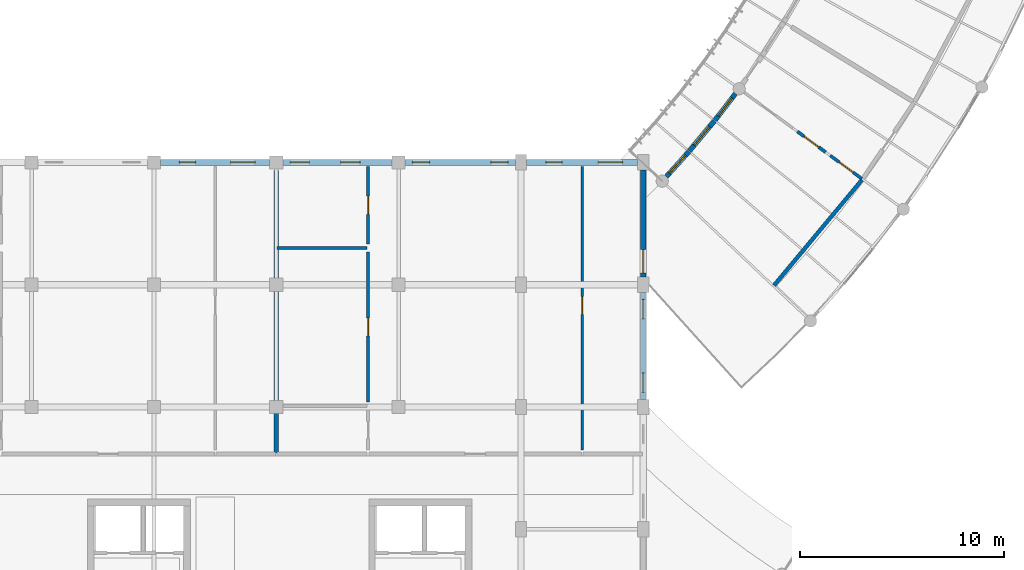
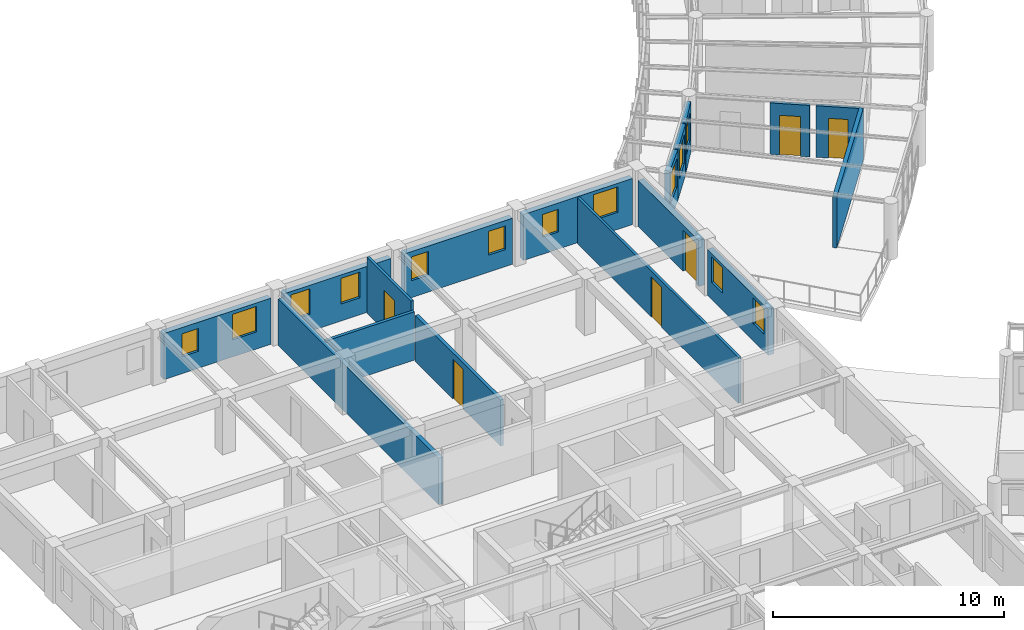
# One storey, part 59 of 100: 17 walls, 13 windows, 6 doors, 19 openings.
"""IFC4 building model written with IfcOpenShell, lengths in metres."""

from ifc_helpers import new_model, si_unit, direction, frame, frame_2d, origin, place, context, subcontext, project, spatial, rectangle, extrude, material, layer, layer_set, type_object, element, fill, save


model = new_model("IFC4")

# Units and contexts
model_context = context("Model", 3, precision=1e-05, world=origin(), true_north=direction((0.0, 1.0)))
body_context = subcontext(model_context, "Body", "Model", "MODEL_VIEW")
ifc_project = project(units=[si_unit("LENGTHUNIT", "METRE"), si_unit("AREAUNIT", "SQUARE_METRE"), si_unit("VOLUMEUNIT", "CUBIC_METRE"), si_unit("PLANEANGLEUNIT", "RADIAN"), si_unit("MASSUNIT", "GRAM", prefix="KILO"), si_unit("POWERUNIT", "WATT"), si_unit("THERMODYNAMICTEMPERATUREUNIT", "KELVIN")], contexts=[model_context])

# Site, building, storey
site_placement = place(None, origin())
site = spatial("IfcSite", under=ifc_project, at=site_placement, CompositionType="ELEMENT")
building_placement = place(site_placement, origin())
building = spatial("IfcBuilding", under=site, at=building_placement, Name="Ruvembo Vaulted Housing Court", CompositionType="ELEMENT")
storey_placement = place(building_placement, frame((0.0, 0.0, 14.10009765625)))
storey = spatial("IfcBuildingStorey", under=building, at=storey_placement, Name="L04", CompositionType="ELEMENT", Elevation=14.10009765625)

# Walls
ifc_material_1 = material(Name="Concrete Blockwork 190", Category="masonry")
ifc_layer_1 = layer(ifc_material_1, 0.18994140625, Name="Concrete Blockwork 190")
ifc_layer_set_1 = layer_set([ifc_layer_1], Name="Concrete Blockwork 190")
wall_type_1 = type_object("IfcWallType", Name="WL-CORR-190", PredefinedType="SOLIDWALL", material=ifc_layer_set_1)
wall_1_placement = place(storey_placement, frame((42.4140625, 35.964599609375, 0.0), z_axis=(0.0, 0.0, 1.0), x_axis=(0.639849364326, 0.768500351966, 0.0)))
element("IfcWall", 1, at=wall_1_placement, inside=storey, type_object=wall_type_1, Name="L04 Suite SC1-L04-U1 Gallery Wall WL-INT-L04-01287", PredefinedType="SOLIDWALL", context=body_context, shape_type="SweptSolid", body=[
    extrude(rectangle(XDim=6.73876953125, YDim=0.18994140625, at=frame_2d((3.369384765625, 0.0))), origin(), (0.0, 0.0, 1.0), 2.741943359375),
])
ifc_material_2 = material(Name="Acoustic Masonry Demising 220", Category="masonry")
ifc_layer_2 = layer(ifc_material_2, 0.219970703125, Name="Acoustic Masonry Demising 220")
ifc_layer_set_2 = layer_set([ifc_layer_2], Name="Acoustic Masonry Demising 220")
wall_type_2 = type_object("IfcWallType", Name="WL-DEM-200", PredefinedType="SOLIDWALL", material=ifc_layer_set_2)
wall_2_placement = place(storey_placement, frame((18.0, 27.739990234375, 0.0), z_axis=(0.0, 0.0, 1.0), x_axis=(0.0, 1.0, 0.0)))
element("IfcWall", 2, at=wall_2_placement, inside=storey, type_object=wall_type_2, Name="L04 Demising A-L04-N1 WL-INT-L04-01118", PredefinedType="SOLIDWALL", context=body_context, shape_type="SweptSolid", body=[
    extrude(rectangle(XDim=13.8701171875, YDim=0.219970703125, at=frame_2d((6.93505859375, 0.0))), origin(), (0.0, 0.0, 1.0), 2.4580078125),
])

# Wall, opening, window
ifc_material_3 = material(Name="Rendered Masonry 235", Category="masonry")
ifc_layer_3 = layer(ifc_material_3, 0.235107421875, Name="Rendered Masonry 235")
ifc_layer_set_3 = layer_set([ifc_layer_3], Name="Rendered Masonry 235")
wall_type_3 = type_object("IfcWallType", Name="WL-EXT-235", PredefinedType="STANDARD", material=ifc_layer_set_3)
wall_3_placement = place(storey_placement, frame((37.1318359375, 41.300537109375, 0.0), z_axis=(0.0, 0.0, 1.0), x_axis=(0.67078910291, 0.741648150687, 0.0)))
wall_3 = element("IfcWall", 3, at=wall_3_placement, inside=storey, type_object=wall_type_3, Name="Scoop SC1 L04 Concave Balcony Wall 0", PredefinedType="STANDARD", context=body_context, shape_type="SweptSolid", body=[
    extrude(rectangle(XDim=1.64697265625, YDim=0.235107421875, at=frame_2d((0.823486328125, 0.0))), origin(), (0.0, 0.0, 1.0), 2.683837890625),
])
opening_1_placement = place(wall_3_placement, frame((0.223388671875, 0.0, 0.85009765625)))
opening_1 = element("IfcOpeningElement", 4, at=opening_1_placement, cuts=wall_3, Name="Opening W14", PredefinedType="OPENING", context=body_context, shape_type="SweptSolid", body=[
    extrude(rectangle(XDim=1.199951171875, YDim=1.5, at=frame_2d((0.60009765625, 0.75))), frame((0.0, 0.12744140625, 0.0), z_axis=(0.0, -1.0, 0.0), x_axis=(1.0, 0.0, 0.0)), (0.0, 0.0, 1.0), 0.255126953125),
])
ifc_material_4 = material(Name="Double Solar-Control Glazing in Aluminium Frame", Category="aluminium")
window_type_1 = type_object("IfcWindowType", Name="WIN-1200x1500", PartitioningType="SINGLE_PANEL", PredefinedType="WINDOW", material=ifc_material_4)
window_1_placement = place(opening_1_placement, origin())
window_1 = element("IfcWindow", 5, at=window_1_placement, inside=storey, type_object=window_type_1, Name="Scoop SC1 L04 Concave Window 0", OverallHeight=1.5, OverallWidth=1.199951171875, PartitioningType="SINGLE_PANEL", PredefinedType="WINDOW", context=body_context, shape_type="SweptSolid", body=[
    extrude(rectangle(XDim=1.199951171875, YDim=1.5, at=frame_2d((0.60009765625, 0.75))), frame((0.0, 0.030029296875, 0.0), z_axis=(0.0, -1.0, 0.0), x_axis=(1.0, 0.0, 0.0)), (0.0, 0.0, 1.0), 0.06005859375),
])
fill(opening_1, window_1)

wall_4_placement = place(storey_placement, frame((38.2626953125, 42.552001953125, 0.0), z_axis=(0.0, 0.0, 1.0), x_axis=(0.639872771242, 0.768480862887, 0.0)))
wall_4 = element("IfcWall", 6, at=wall_4_placement, inside=storey, type_object=wall_type_3, Name="Scoop SC1 L04 Concave Balcony Wall 1", PredefinedType="STANDARD", context=body_context, shape_type="SweptSolid", body=[
    extrude(rectangle(XDim=1.9267578125, YDim=0.235107421875, at=frame_2d((0.96337890625, 0.0))), origin(), (0.0, 0.0, 1.0), 2.683837890625),
])
opening_2_placement = place(wall_4_placement, frame((0.36328125, 0.0, 0.85009765625)))
opening_2 = element("IfcOpeningElement", 7, at=opening_2_placement, cuts=wall_4, Name="Opening W14", PredefinedType="OPENING", context=body_context, shape_type="SweptSolid", body=[
    extrude(rectangle(XDim=1.199951171875, YDim=1.5, at=frame_2d((0.60009765625, 0.75))), frame((0.0, 0.12744140625, 0.0), z_axis=(0.0, -1.0, 0.0), x_axis=(1.0, 0.0, 0.0)), (0.0, 0.0, 1.0), 0.255126953125),
])
window_2_placement = place(opening_2_placement, origin())
window_2 = element("IfcWindow", 8, at=window_2_placement, inside=storey, type_object=window_type_1, Name="Scoop SC1 L04 Concave Window 1", OverallHeight=1.5, OverallWidth=1.199951171875, PartitioningType="SINGLE_PANEL", PredefinedType="WINDOW", context=body_context, shape_type="SweptSolid", body=[
    extrude(rectangle(XDim=1.199951171875, YDim=1.5, at=frame_2d((0.60009765625, 0.75))), frame((0.0, 0.030029296875, 0.0), z_axis=(0.0, -1.0, 0.0), x_axis=(1.0, 0.0, 0.0)), (0.0, 0.0, 1.0), 0.06005859375),
])
fill(opening_2, window_2)

wall_5_placement = place(storey_placement, frame((39.5205078125, 44.06396484375, 0.0), z_axis=(0.0, 0.0, 1.0), x_axis=(0.607846242362, 0.794054749779, 0.0)))
wall_5 = element("IfcWall", 9, at=wall_5_placement, inside=storey, type_object=wall_type_3, Name="Scoop SC1 L04 Concave Balcony Wall 2", PredefinedType="STANDARD", context=body_context, shape_type="SweptSolid", body=[
    extrude(rectangle(XDim=1.646728515625, YDim=0.235107421875, at=frame_2d((0.8232421875, 0.0))), origin(), (0.0, 0.0, 1.0), 2.683837890625),
])
opening_3_placement = place(wall_5_placement, frame((0.2734375, 0.0, 0.85009765625)))
opening_3 = element("IfcOpeningElement", 10, at=opening_3_placement, cuts=wall_5, Name="Opening W10", PredefinedType="OPENING", context=body_context, shape_type="SweptSolid", body=[
    extrude(rectangle(XDim=1.10009765625, YDim=1.449951171875, at=frame_2d((0.550048828125, 0.72509765625))), frame((0.0, 0.12744140625, 0.0), z_axis=(0.0, -1.0, 0.0), x_axis=(1.0, 0.0, 0.0)), (0.0, 0.0, 1.0), 0.255126953125),
])
window_type_2 = type_object("IfcWindowType", Name="WIN-1100x1450", PartitioningType="SINGLE_PANEL", PredefinedType="WINDOW", material=ifc_material_4)
window_3_placement = place(opening_3_placement, origin())
window_3 = element("IfcWindow", 11, at=window_3_placement, inside=storey, type_object=window_type_2, Name="Scoop SC1 L04 Concave Window 2", OverallHeight=1.449951171875, OverallWidth=1.10009765625, PartitioningType="SINGLE_PANEL", PredefinedType="WINDOW", context=body_context, shape_type="SweptSolid", body=[
    extrude(rectangle(XDim=1.10009765625, YDim=1.449951171875, at=frame_2d((0.550048828125, 0.72509765625))), frame((0.0, 0.030029296875, 0.0), z_axis=(0.0, -1.0, 0.0), x_axis=(1.0, 0.0, 0.0)), (0.0, 0.0, 1.0), 0.06005859375),
])
fill(opening_3, window_3)

# Wall, openings, windows
ifc_material_5 = material(Name="Rendered Masonry 285", Category="masonry")
ifc_layer_4 = layer(ifc_material_5, 0.284912109375, Name="Rendered Masonry 285")
ifc_layer_set_4 = layer_set([ifc_layer_4], Name="Rendered Masonry 285")
wall_type_4 = type_object("IfcWallType", Name="WL-EXT-285", PredefinedType="STANDARD", material=ifc_layer_set_4)
wall_6_placement = place(storey_placement, frame((36.0, 30.375, 0.0), z_axis=(0.0, 0.0, 1.0), x_axis=(0.0, 1.0, 0.0)))
wall_6 = element("IfcWall", 12, at=wall_6_placement, inside=storey, type_object=wall_type_4, Name="Block A L04 Exterior Wall EAST #5", PredefinedType="STANDARD", context=body_context, shape_type="SweptSolid", body=[
    extrude(rectangle(XDim=5.25, YDim=0.284912109375, at=frame_2d((2.625, 0.0))), origin(), (0.0, 0.0, 1.0), 2.431884765625),
])
opening_4_placement = place(wall_6_placement, frame((0.35009765625, 0.0, 0.89990234375)))
opening_4 = element("IfcOpeningElement", 13, at=opening_4_placement, cuts=wall_6, Name="Opening W07", PredefinedType="OPENING", context=body_context, shape_type="SweptSolid", body=[
    extrude(rectangle(XDim=0.949951171875, YDim=1.35009765625, at=frame_2d((0.47509765625, 0.675048828125))), frame((0.0, 0.15234375, 0.0), z_axis=(0.0, -1.0, 0.0), x_axis=(1.0, 0.0, 0.0)), (0.0, 0.0, 1.0), 0.304931640625),
])
opening_5_placement = place(wall_6_placement, frame((3.949951171875, 0.0, 0.89990234375)))
opening_5 = element("IfcOpeningElement", 14, at=opening_5_placement, cuts=wall_6, Name="Opening W07", PredefinedType="OPENING", context=body_context, shape_type="SweptSolid", body=[
    extrude(rectangle(XDim=0.949951171875, YDim=1.35009765625, at=frame_2d((0.47509765625, 0.675048828125))), frame((0.0, 0.15234375, 0.0), z_axis=(0.0, -1.0, 0.0), x_axis=(1.0, 0.0, 0.0)), (0.0, 0.0, 1.0), 0.304931640625),
])
window_type_3 = type_object("IfcWindowType", Name="WIN-0950x1350", PartitioningType="SINGLE_PANEL", PredefinedType="WINDOW", material=ifc_material_4)
window_4_placement = place(opening_4_placement, origin())
window_4 = element("IfcWindow", 15, at=window_4_placement, inside=storey, type_object=window_type_3, Name="Block A L04 Window #183", OverallHeight=1.35009765625, OverallWidth=0.949951171875, PartitioningType="SINGLE_PANEL", PredefinedType="WINDOW", context=body_context, shape_type="SweptSolid", body=[
    extrude(rectangle(XDim=0.949951171875, YDim=1.35009765625, at=frame_2d((0.47509765625, 0.675048828125))), frame((0.0, 0.030029296875, 0.0), z_axis=(0.0, -1.0, 0.0), x_axis=(1.0, 0.0, 0.0)), (0.0, 0.0, 1.0), 0.06005859375),
])
fill(opening_4, window_4)
window_5_placement = place(opening_5_placement, origin())
window_5 = element("IfcWindow", 16, at=window_5_placement, inside=storey, type_object=window_type_3, Name="Block A L04 Window #184", OverallHeight=1.35009765625, OverallWidth=0.949951171875, PartitioningType="SINGLE_PANEL", PredefinedType="WINDOW", context=body_context, shape_type="SweptSolid", body=[
    extrude(rectangle(XDim=0.949951171875, YDim=1.35009765625, at=frame_2d((0.47509765625, 0.675048828125))), frame((0.0, 0.030029296875, 0.0), z_axis=(0.0, -1.0, 0.0), x_axis=(1.0, 0.0, 0.0)), (0.0, 0.0, 1.0), 0.06005859375),
])
fill(opening_5, window_5)

# Wall, opening, door
wall_7_placement = place(storey_placement, frame((36.0, 36.375, 0.0), z_axis=(0.0, 0.0, 1.0), x_axis=(0.0, 1.0, 0.0)))
wall_7 = element("IfcWall", 17, at=wall_7_placement, inside=storey, type_object=wall_type_4, Name="Block A L04 Exterior Wall EAST #6", PredefinedType="STANDARD", context=body_context, shape_type="SweptSolid", body=[
    extrude(rectangle(XDim=5.25, YDim=0.284912109375, at=frame_2d((2.625, 0.0))), origin(), (0.0, 0.0, 1.0), 2.431884765625),
])
opening_6_placement = place(wall_7_placement, frame((0.199951171875, 0.0, 0.0)))
opening_6 = element("IfcOpeningElement", 18, at=opening_6_placement, cuts=wall_7, Name="Opening GD1", PredefinedType="OPENING", context=body_context, shape_type="SweptSolid", body=[
    extrude(rectangle(XDim=1.14990234375, YDim=2.14990234375, at=frame_2d((0.574951171875, 1.074951171875))), frame((0.0, 0.15234375, 0.0), z_axis=(0.0, -1.0, 0.0), x_axis=(1.0, 0.0, 0.0)), (0.0, 0.0, 1.0), 0.304931640625),
])
ifc_material_6 = material(Name="Thermally Broken Glazed Aluminium", Category="aluminium")
door_type_1 = type_object("IfcDoorType", Name="DR-GAL-1150x2150", OperationType="NOTDEFINED", PredefinedType="DOOR", material=ifc_material_6)
door_1_placement = place(opening_6_placement, frame((1.14990234375, 0.0, 0.0), z_axis=(0.0, 0.0, 1.0), x_axis=(-1.0, 0.0, 0.0)))
door_1 = element("IfcDoor", 19, at=door_1_placement, inside=storey, type_object=door_type_1, Name="Block A L04 Terrace or Gallery Door DR-TER-A-L04-018", OperationType="SINGLE_SWING_LEFT", OverallHeight=2.14990234375, OverallWidth=1.14990234375, PredefinedType="DOOR", context=body_context, shape_type="SweptSolid", body=[
    extrude(rectangle(XDim=1.14990234375, YDim=2.14990234375, at=frame_2d((0.574951171875, 1.074951171875))), frame((0.0, 0.02490234375, 0.0), z_axis=(0.0, -1.0, 0.0), x_axis=(1.0, 0.0, 0.0)), (0.0, 0.0, 1.0), 0.050048828125),
])
fill(opening_6, door_1)

# Wall, openings, windows
wall_8_placement = place(storey_placement, frame((35.72509765625, 42.0, 0.0), z_axis=(0.0, 0.0, 1.0), x_axis=(-1.0, 0.0, 0.0)))
wall_8 = element("IfcWall", 20, at=wall_8_placement, inside=storey, type_object=wall_type_4, Name="Block A L04 Exterior Wall COURTYARD #1", PredefinedType="STANDARD", context=body_context, shape_type="SweptSolid", body=[
    extrude(rectangle(XDim=5.4501953125, YDim=0.284912109375, at=frame_2d((2.72509765625, 0.0))), origin(), (0.0, 0.0, 1.0), 2.431884765625),
])
opening_7_placement = place(wall_8_placement, frame((0.742431640625, 0.0, 0.89990234375)))
opening_7 = element("IfcOpeningElement", 21, at=opening_7_placement, cuts=wall_8, Name="Opening W12", PredefinedType="OPENING", context=body_context, shape_type="SweptSolid", body=[
    extrude(rectangle(XDim=1.199951171875, YDim=1.35009765625, at=frame_2d((0.60009765625, 0.675048828125))), frame((0.0, 0.15234375, 0.0), z_axis=(0.0, -1.0, 0.0), x_axis=(1.0, 0.0, 0.0)), (0.0, 0.0, 1.0), 0.304931640625),
])
opening_8_placement = place(wall_8_placement, frame((3.70751953125, 0.0, 0.89990234375)))
opening_8 = element("IfcOpeningElement", 22, at=opening_8_placement, cuts=wall_8, Name="Opening W02", PredefinedType="OPENING", context=body_context, shape_type="SweptSolid", body=[
    extrude(rectangle(XDim=0.800048828125, YDim=1.199951171875, at=frame_2d((0.39990234375, 0.60009765625))), frame((0.0, 0.15234375, 0.0), z_axis=(0.0, -1.0, 0.0), x_axis=(1.0, 0.0, 0.0)), (0.0, 0.0, 1.0), 0.304931640625),
])
window_type_4 = type_object("IfcWindowType", Name="WIN-0800x1200", PartitioningType="SINGLE_PANEL", PredefinedType="WINDOW", material=ifc_material_4)
window_6_placement = place(opening_8_placement, origin())
window_6 = element("IfcWindow", 23, at=window_6_placement, inside=storey, type_object=window_type_4, Name="Block A L04 Window #186", OverallHeight=1.199951171875, OverallWidth=0.800048828125, PartitioningType="SINGLE_PANEL", PredefinedType="WINDOW", context=body_context, shape_type="SweptSolid", body=[
    extrude(rectangle(XDim=0.800048828125, YDim=1.199951171875, at=frame_2d((0.39990234375, 0.60009765625))), frame((0.0, 0.030029296875, 0.0), z_axis=(0.0, -1.0, 0.0), x_axis=(1.0, 0.0, 0.0)), (0.0, 0.0, 1.0), 0.06005859375),
])
fill(opening_8, window_6)
window_type_5 = type_object("IfcWindowType", Name="WIN-1200x1350", PartitioningType="SINGLE_PANEL", PredefinedType="WINDOW", material=ifc_material_4)
window_7_placement = place(opening_7_placement, origin())
window_7 = element("IfcWindow", 24, at=window_7_placement, inside=storey, type_object=window_type_5, Name="Block A L04 Window #185", OverallHeight=1.35009765625, OverallWidth=1.199951171875, PartitioningType="SINGLE_PANEL", PredefinedType="WINDOW", context=body_context, shape_type="SweptSolid", body=[
    extrude(rectangle(XDim=1.199951171875, YDim=1.35009765625, at=frame_2d((0.60009765625, 0.675048828125))), frame((0.0, 0.030029296875, 0.0), z_axis=(0.0, -1.0, 0.0), x_axis=(1.0, 0.0, 0.0)), (0.0, 0.0, 1.0), 0.06005859375),
])
fill(opening_7, window_7)

wall_9_placement = place(storey_placement, frame((29.72509765625, 42.0, 0.0), z_axis=(0.0, 0.0, 1.0), x_axis=(-1.0, 0.0, 0.0)))
wall_9 = element("IfcWall", 25, at=wall_9_placement, inside=storey, type_object=wall_type_4, Name="Block A L04 Exterior Wall COURTYARD #2", PredefinedType="STANDARD", context=body_context, shape_type="SweptSolid", body=[
    extrude(rectangle(XDim=5.400146484375, YDim=0.284912109375, at=frame_2d((2.7001953125, 0.0))), origin(), (0.0, 0.0, 1.0), 2.431884765625),
])
opening_9_placement = place(wall_9_placement, frame((0.35009765625, 0.0, 0.89990234375)))
opening_9 = element("IfcOpeningElement", 26, at=opening_9_placement, cuts=wall_9, Name="Opening W03", PredefinedType="OPENING", context=body_context, shape_type="SweptSolid", body=[
    extrude(rectangle(XDim=0.85009765625, YDim=1.25, at=frame_2d((0.425048828125, 0.625))), frame((0.0, 0.15234375, 0.0), z_axis=(0.0, -1.0, 0.0), x_axis=(1.0, 0.0, 0.0)), (0.0, 0.0, 1.0), 0.304931640625),
])
opening_10_placement = place(wall_9_placement, frame((4.199951171875, 0.0, 0.89990234375)))
opening_10 = element("IfcOpeningElement", 27, at=opening_10_placement, cuts=wall_9, Name="Opening W03", PredefinedType="OPENING", context=body_context, shape_type="SweptSolid", body=[
    extrude(rectangle(XDim=0.85009765625, YDim=1.25, at=frame_2d((0.425048828125, 0.625))), frame((0.0, 0.15234375, 0.0), z_axis=(0.0, -1.0, 0.0), x_axis=(1.0, 0.0, 0.0)), (0.0, 0.0, 1.0), 0.304931640625),
])
window_type_6 = type_object("IfcWindowType", Name="WIN-0850x1250", PartitioningType="SINGLE_PANEL", PredefinedType="WINDOW", material=ifc_material_4)
window_8_placement = place(opening_9_placement, origin())
window_8 = element("IfcWindow", 28, at=window_8_placement, inside=storey, type_object=window_type_6, Name="Block A L04 Window #187", OverallHeight=1.25, OverallWidth=0.85009765625, PartitioningType="SINGLE_PANEL", PredefinedType="WINDOW", context=body_context, shape_type="SweptSolid", body=[
    extrude(rectangle(XDim=0.85009765625, YDim=1.25, at=frame_2d((0.425048828125, 0.625))), frame((0.0, 0.030029296875, 0.0), z_axis=(0.0, -1.0, 0.0), x_axis=(1.0, 0.0, 0.0)), (0.0, 0.0, 1.0), 0.06005859375),
])
fill(opening_9, window_8)
window_9_placement = place(opening_10_placement, origin())
window_9 = element("IfcWindow", 29, at=window_9_placement, inside=storey, type_object=window_type_6, Name="Block A L04 Window #188", OverallHeight=1.25, OverallWidth=0.85009765625, PartitioningType="SINGLE_PANEL", PredefinedType="WINDOW", context=body_context, shape_type="SweptSolid", body=[
    extrude(rectangle(XDim=0.85009765625, YDim=1.25, at=frame_2d((0.425048828125, 0.625))), frame((0.0, 0.030029296875, 0.0), z_axis=(0.0, -1.0, 0.0), x_axis=(1.0, 0.0, 0.0)), (0.0, 0.0, 1.0), 0.06005859375),
])
fill(opening_10, window_9)

wall_10_placement = place(storey_placement, frame((23.675048828125, 42.0, 0.0), z_axis=(0.0, 0.0, 1.0), x_axis=(-1.0, 0.0, 0.0)))
wall_10 = element("IfcWall", 30, at=wall_10_placement, inside=storey, type_object=wall_type_4, Name="Block A L04 Exterior Wall COURTYARD #3", PredefinedType="STANDARD", context=body_context, shape_type="SweptSolid", body=[
    extrude(rectangle(XDim=5.35009765625, YDim=0.284912109375, at=frame_2d((2.675048828125, 0.0))), origin(), (0.0, 0.0, 1.0), 2.431884765625),
])
opening_11_placement = place(wall_10_placement, frame((1.56494140625, 0.0, 0.89990234375)))
opening_11 = element("IfcOpeningElement", 31, at=opening_11_placement, cuts=wall_10, Name="Opening W07", PredefinedType="OPENING", context=body_context, shape_type="SweptSolid", body=[
    extrude(rectangle(XDim=0.949951171875, YDim=1.35009765625, at=frame_2d((0.47509765625, 0.675048828125))), frame((0.0, 0.15234375, 0.0), z_axis=(0.0, -1.0, 0.0), x_axis=(1.0, 0.0, 0.0)), (0.0, 0.0, 1.0), 0.304931640625),
])
opening_12_placement = place(wall_10_placement, frame((4.050048828125, 0.0, 0.89990234375)))
opening_12 = element("IfcOpeningElement", 32, at=opening_12_placement, cuts=wall_10, Name="Opening W07", PredefinedType="OPENING", context=body_context, shape_type="SweptSolid", body=[
    extrude(rectangle(XDim=0.949951171875, YDim=1.35009765625, at=frame_2d((0.47509765625, 0.675048828125))), frame((0.0, 0.15234375, 0.0), z_axis=(0.0, -1.0, 0.0), x_axis=(1.0, 0.0, 0.0)), (0.0, 0.0, 1.0), 0.304931640625),
])
window_10_placement = place(opening_11_placement, origin())
window_10 = element("IfcWindow", 33, at=window_10_placement, inside=storey, type_object=window_type_3, Name="Block A L04 Window #189", OverallHeight=1.35009765625, OverallWidth=0.949951171875, PartitioningType="SINGLE_PANEL", PredefinedType="WINDOW", context=body_context, shape_type="SweptSolid", body=[
    extrude(rectangle(XDim=0.949951171875, YDim=1.35009765625, at=frame_2d((0.47509765625, 0.675048828125))), frame((0.0, 0.030029296875, 0.0), z_axis=(0.0, -1.0, 0.0), x_axis=(1.0, 0.0, 0.0)), (0.0, 0.0, 1.0), 0.06005859375),
])
fill(opening_11, window_10)
window_11_placement = place(opening_12_placement, origin())
window_11 = element("IfcWindow", 34, at=window_11_placement, inside=storey, type_object=window_type_3, Name="Block A L04 Window #190", OverallHeight=1.35009765625, OverallWidth=0.949951171875, PartitioningType="SINGLE_PANEL", PredefinedType="WINDOW", context=body_context, shape_type="SweptSolid", body=[
    extrude(rectangle(XDim=0.949951171875, YDim=1.35009765625, at=frame_2d((0.47509765625, 0.675048828125))), frame((0.0, 0.030029296875, 0.0), z_axis=(0.0, -1.0, 0.0), x_axis=(1.0, 0.0, 0.0)), (0.0, 0.0, 1.0), 0.06005859375),
])
fill(opening_12, window_11)

wall_11_placement = place(storey_placement, frame((17.675048828125, 42.0, 0.0), z_axis=(0.0, 0.0, 1.0), x_axis=(-1.0, 0.0, 0.0)))
wall_11 = element("IfcWall", 35, at=wall_11_placement, inside=storey, type_object=wall_type_4, Name="Block A L04 Exterior Wall COURTYARD #4", PredefinedType="STANDARD", context=body_context, shape_type="SweptSolid", body=[
    extrude(rectangle(XDim=5.35009765625, YDim=0.284912109375, at=frame_2d((2.675048828125, 0.0))), origin(), (0.0, 0.0, 1.0), 2.431884765625),
])
opening_13_placement = place(wall_11_placement, frame((0.717529296875, 0.0, 0.89990234375)))
opening_13 = element("IfcOpeningElement", 36, at=opening_13_placement, cuts=wall_11, Name="Opening W12", PredefinedType="OPENING", context=body_context, shape_type="SweptSolid", body=[
    extrude(rectangle(XDim=1.199951171875, YDim=1.35009765625, at=frame_2d((0.60009765625, 0.675048828125))), frame((0.0, 0.15234375, 0.0), z_axis=(0.0, -1.0, 0.0), x_axis=(1.0, 0.0, 0.0)), (0.0, 0.0, 1.0), 0.304931640625),
])
opening_14_placement = place(wall_11_placement, frame((3.632568359375, 0.0, 0.89990234375)))
opening_14 = element("IfcOpeningElement", 37, at=opening_14_placement, cuts=wall_11, Name="Opening W02", PredefinedType="OPENING", context=body_context, shape_type="SweptSolid", body=[
    extrude(rectangle(XDim=0.800048828125, YDim=1.199951171875, at=frame_2d((0.39990234375, 0.60009765625))), frame((0.0, 0.15234375, 0.0), z_axis=(0.0, -1.0, 0.0), x_axis=(1.0, 0.0, 0.0)), (0.0, 0.0, 1.0), 0.304931640625),
])
window_12_placement = place(opening_14_placement, origin())
window_12 = element("IfcWindow", 38, at=window_12_placement, inside=storey, type_object=window_type_4, Name="Block A L04 Window #192", OverallHeight=1.199951171875, OverallWidth=0.800048828125, PartitioningType="SINGLE_PANEL", PredefinedType="WINDOW", context=body_context, shape_type="SweptSolid", body=[
    extrude(rectangle(XDim=0.800048828125, YDim=1.199951171875, at=frame_2d((0.39990234375, 0.60009765625))), frame((0.0, 0.030029296875, 0.0), z_axis=(0.0, -1.0, 0.0), x_axis=(1.0, 0.0, 0.0)), (0.0, 0.0, 1.0), 0.06005859375),
])
fill(opening_14, window_12)
window_13_placement = place(opening_13_placement, origin())
window_13 = element("IfcWindow", 39, at=window_13_placement, inside=storey, type_object=window_type_5, Name="Block A L04 Window #191", OverallHeight=1.35009765625, OverallWidth=1.199951171875, PartitioningType="SINGLE_PANEL", PredefinedType="WINDOW", context=body_context, shape_type="SweptSolid", body=[
    extrude(rectangle(XDim=1.199951171875, YDim=1.35009765625, at=frame_2d((0.60009765625, 0.675048828125))), frame((0.0, 0.030029296875, 0.0), z_axis=(0.0, -1.0, 0.0), x_axis=(1.0, 0.0, 0.0)), (0.0, 0.0, 1.0), 0.06005859375),
])
fill(opening_13, window_13)

# Wall, opening, door
ifc_material_7 = material(Name="Plasterboard Stud Partition 125", Category="gypsum")
ifc_layer_5 = layer(ifc_material_7, 0.125, Name="Plasterboard Stud Partition 125")
ifc_layer_set_5 = layer_set([ifc_layer_5], Name="Plasterboard Stud Partition 125")
wall_type_5 = type_object("IfcWallType", Name="WL-PART-125", PredefinedType="PARTITIONING", material=ifc_layer_set_5)
wall_12_placement = place(storey_placement, frame((22.5, 37.989990234375, 0.0), z_axis=(0.0, 0.0, 1.0), x_axis=(0.0, 1.0, 0.0)))
wall_12 = element("IfcWall", 40, at=wall_12_placement, inside=storey, type_object=wall_type_5, Name="L04 Flat A-L04-N2 Bedroom 1 WL-INT-L04-01130", PredefinedType="PARTITIONING", context=body_context, shape_type="SweptSolid", body=[
    extrude(rectangle(XDim=3.820068359375, YDim=0.125, at=frame_2d((1.91015625, 0.0))), origin(), (0.0, 0.0, 1.0), 2.949951171875),
])
opening_15_placement = place(wall_12_placement, frame((1.4599609375, 0.0, 0.0)))
opening_15 = element("IfcOpeningElement", 41, at=opening_15_placement, cuts=wall_12, Name="Opening ID1", PredefinedType="OPENING", context=body_context, shape_type="SweptSolid", body=[
    extrude(rectangle(XDim=0.89990234375, YDim=2.10009765625, at=frame_2d((0.449951171875, 1.050048828125))), frame((0.0, 0.072509765625, 0.0), z_axis=(0.0, -1.0, 0.0), x_axis=(1.0, 0.0, 0.0)), (0.0, 0.0, 1.0), 0.14501953125),
])
ifc_material_8 = material(Name="FSC Hardwood and Engineered Timber", Category="wood")
door_type_2 = type_object("IfcDoorType", Name="DR-ROOM-0900x2100", OperationType="NOTDEFINED", PredefinedType="DOOR", material=ifc_material_8)
door_2_placement = place(opening_15_placement, origin())
door_2 = element("IfcDoor", 42, at=door_2_placement, inside=storey, type_object=door_type_2, Name="L04 Flat A-L04-N2 Bedroom 1 Door DR-INT-L04-00634", OperationType="SINGLE_SWING_RIGHT", OverallHeight=2.10009765625, OverallWidth=0.89990234375, PredefinedType="DOOR", context=body_context, shape_type="SweptSolid", body=[
    extrude(rectangle(XDim=0.89990234375, YDim=2.10009765625, at=frame_2d((0.449951171875, 1.050048828125))), frame((0.0, 0.02490234375, 0.0), z_axis=(0.0, -1.0, 0.0), x_axis=(1.0, 0.0, 0.0)), (0.0, 0.0, 1.0), 0.050048828125),
])
fill(opening_15, door_2)

wall_13_placement = place(storey_placement, frame((33.0, 27.889892578125, 0.0), z_axis=(0.0, 0.0, 1.0), x_axis=(0.0, 1.0, 0.0)))
wall_13 = element("IfcWall", 43, at=wall_13_placement, inside=storey, type_object=wall_type_5, Name="L04 Flat A-L04-N2 Bedroom 2 WL-INT-L04-01136", PredefinedType="PARTITIONING", context=body_context, shape_type="SweptSolid", body=[
    extrude(rectangle(XDim=13.920166015625, YDim=0.125, at=frame_2d((6.9599609375, 0.0))), origin(), (0.0, 0.0, 1.0), 2.431884765625),
])
opening_16_placement = place(wall_13_placement, frame((6.64990234375, 0.0, 0.0)))
opening_16 = element("IfcOpeningElement", 44, at=opening_16_placement, cuts=wall_13, Name="Opening ID3", PredefinedType="OPENING", context=body_context, shape_type="SweptSolid", body=[
    extrude(rectangle(XDim=0.8798828125, YDim=2.10009765625, at=frame_2d((0.43994140625, 1.050048828125))), frame((0.0, 0.072509765625, 0.0), z_axis=(0.0, -1.0, 0.0), x_axis=(1.0, 0.0, 0.0)), (0.0, 0.0, 1.0), 0.14501953125),
])
door_type_3 = type_object("IfcDoorType", Name="DR-ROOM-0880x2100", OperationType="NOTDEFINED", PredefinedType="DOOR", material=ifc_material_8)
door_3_placement = place(opening_16_placement, origin())
door_3 = element("IfcDoor", 45, at=door_3_placement, inside=storey, type_object=door_type_3, Name="L04 Flat A-L04-N2 Bedroom 2 Door DR-INT-L04-00637", OperationType="SINGLE_SWING_LEFT", OverallHeight=2.10009765625, OverallWidth=0.8798828125, PredefinedType="DOOR", context=body_context, shape_type="SweptSolid", body=[
    extrude(rectangle(XDim=0.8798828125, YDim=2.10009765625, at=frame_2d((0.43994140625, 1.050048828125))), frame((0.0, 0.02490234375, 0.0), z_axis=(0.0, -1.0, 0.0), x_axis=(1.0, 0.0, 0.0)), (0.0, 0.0, 1.0), 0.050048828125),
])
fill(opening_16, door_3)

# Wall
ifc_material_9 = material(Name="Moisture-Resistant Wet Partition 150", Category="gypsum")
ifc_layer_6 = layer(ifc_material_9, 0.14990234375, Name="Moisture-Resistant Wet Partition 150")
ifc_layer_set_6 = layer_set([ifc_layer_6], Name="Moisture-Resistant Wet Partition 150")
wall_type_6 = type_object("IfcWallType", Name="WL-PART-150", PredefinedType="PARTITIONING", material=ifc_layer_set_6)
wall_14_placement = place(storey_placement, frame((18.0400390625, 37.800048828125, 0.0), z_axis=(0.0, 0.0, 1.0), x_axis=(1.0, 0.0, 0.0)))
element("IfcWall", 46, at=wall_14_placement, inside=storey, type_object=wall_type_6, Name="L04 Flat A-L04-N2 Wet Wall 1 WL-INT-L04-01133", PredefinedType="PARTITIONING", context=body_context, shape_type="SweptSolid", body=[
    extrude(rectangle(XDim=4.419921875, YDim=0.14990234375, at=frame_2d((2.2099609375, 0.0))), origin(), (0.0, 0.0, 1.0), 2.5478515625),
])

# Wall, opening, door
wall_15_placement = place(storey_placement, frame((45.171142578125, 42.3330078125, 0.0), z_axis=(0.0, 0.0, 1.0), x_axis=(0.806348393053, -0.591440841522, 0.0)))
wall_15 = element("IfcWall", 47, at=wall_15_placement, inside=storey, type_object=wall_type_6, Name="L04 Suite SC1-L04-U1 Bathroom WL-INT-L04-01291", PredefinedType="PARTITIONING", context=body_context, shape_type="SweptSolid", body=[
    extrude(rectangle(XDim=1.919921875, YDim=0.14990234375, at=frame_2d((0.9599609375, 0.0))), origin(), (0.0, 0.0, 1.0), 2.721923828125),
])
opening_17_placement = place(wall_15_placement, frame((0.534912109375, 0.0, 0.0)))
opening_17 = element("IfcOpeningElement", 48, at=opening_17_placement, cuts=wall_15, Name="Opening ID2", PredefinedType="OPENING", context=body_context, shape_type="SweptSolid", body=[
    extrude(rectangle(XDim=0.85009765625, YDim=2.10009765625, at=frame_2d((0.425048828125, 1.050048828125))), frame((0.0, 0.0849609375, 0.0), z_axis=(0.0, -1.0, 0.0), x_axis=(1.0, 0.0, 0.0)), (0.0, 0.0, 1.0), 0.169921875),
])
door_type_4 = type_object("IfcDoorType", Name="DR-WET-0850x2100", OperationType="NOTDEFINED", PredefinedType="DOOR", material=ifc_material_8)
door_4_placement = place(opening_17_placement, origin())
door_4 = element("IfcDoor", 49, at=door_4_placement, inside=storey, type_object=door_type_4, Name="L04 Suite SC1-L04-U1 Bathroom Door DR-INT-L04-00719", OperationType="SINGLE_SWING_LEFT", OverallHeight=2.10009765625, OverallWidth=0.85009765625, PredefinedType="DOOR", context=body_context, shape_type="SweptSolid", body=[
    extrude(rectangle(XDim=0.85009765625, YDim=2.10009765625, at=frame_2d((0.425048828125, 1.050048828125))), frame((0.0, 0.02490234375, 0.0), z_axis=(0.0, -1.0, 0.0), x_axis=(1.0, 0.0, 0.0)), (0.0, 0.0, 1.0), 0.050048828125),
])
fill(opening_17, door_4)

ifc_material_10 = material(Name="Acoustic Service Chase Wall 160", Category="gypsum")
ifc_layer_7 = layer(ifc_material_10, 0.159912109375, Name="Acoustic Service Chase Wall 160")
ifc_layer_set_7 = layer_set([ifc_layer_7], Name="Acoustic Service Chase Wall 160")
wall_type_7 = type_object("IfcWallType", Name="WL-PLUMB-160", PredefinedType="PLUMBINGWALL", material=ifc_layer_set_7)
wall_16_placement = place(storey_placement, frame((22.5, 30.239990234375, 0.0), z_axis=(0.0, 0.0, 1.0), x_axis=(0.0, 1.0, 0.0)))
wall_16 = element("IfcWall", 50, at=wall_16_placement, inside=storey, type_object=wall_type_7, Name="L04 Flat A-L04-N2 Kitchen WL-INT-L04-01131", PredefinedType="PLUMBINGWALL", context=body_context, shape_type="SweptSolid", body=[
    extrude(rectangle(XDim=7.3701171875, YDim=0.159912109375, at=frame_2d((3.68505859375, 0.0))), origin(), (0.0, 0.0, 1.0), 2.431884765625),
])
opening_18_placement = place(wall_16_placement, frame((3.2451171875, 0.0, 0.0)))
opening_18 = element("IfcOpeningElement", 51, at=opening_18_placement, cuts=wall_16, Name="Opening ID3", PredefinedType="OPENING", context=body_context, shape_type="SweptSolid", body=[
    extrude(rectangle(XDim=0.8798828125, YDim=2.10009765625, at=frame_2d((0.43994140625, 1.050048828125))), frame((0.0, 0.08984375, 0.0), z_axis=(0.0, -1.0, 0.0), x_axis=(1.0, 0.0, 0.0)), (0.0, 0.0, 1.0), 0.179931640625),
])
door_5_placement = place(opening_18_placement, origin())
door_5 = element("IfcDoor", 52, at=door_5_placement, inside=storey, type_object=door_type_3, Name="L04 Flat A-L04-N2 Kitchen Door DR-INT-L04-00635", OperationType="SINGLE_SWING_LEFT", OverallHeight=2.10009765625, OverallWidth=0.8798828125, PredefinedType="DOOR", context=body_context, shape_type="SweptSolid", body=[
    extrude(rectangle(XDim=0.8798828125, YDim=2.10009765625, at=frame_2d((0.43994140625, 1.050048828125))), frame((0.0, 0.02490234375, 0.0), z_axis=(0.0, -1.0, 0.0), x_axis=(1.0, 0.0, 0.0)), (0.0, 0.0, 1.0), 0.050048828125),
])
fill(opening_18, door_5)

wall_17_placement = place(storey_placement, frame((43.55859375, 43.51611328125, 0.0), z_axis=(0.0, 0.0, 1.0), x_axis=(0.806292157387, -0.591517503491, 0.0)))
wall_17 = element("IfcWall", 53, at=wall_17_placement, inside=storey, type_object=wall_type_7, Name="L04 Suite SC1-L04-U1 Kitchen WL-INT-L04-01290", PredefinedType="PLUMBINGWALL", context=body_context, shape_type="SweptSolid", body=[
    extrude(rectangle(XDim=1.719970703125, YDim=0.159912109375, at=frame_2d((0.85986328125, 0.0))), origin(), (0.0, 0.0, 1.0), 2.721923828125),
])
opening_19_placement = place(wall_17_placement, frame((0.409912109375, 0.0, 0.0)))
opening_19 = element("IfcOpeningElement", 54, at=opening_19_placement, cuts=wall_17, Name="Opening ID1", PredefinedType="OPENING", context=body_context, shape_type="SweptSolid", body=[
    extrude(rectangle(XDim=0.89990234375, YDim=2.10009765625, at=frame_2d((0.449951171875, 1.050048828125))), frame((0.0, 0.08984375, 0.0), z_axis=(0.0, -1.0, 0.0), x_axis=(1.0, 0.0, 0.0)), (0.0, 0.0, 1.0), 0.179931640625),
])
door_6_placement = place(opening_19_placement, origin())
door_6 = element("IfcDoor", 55, at=door_6_placement, inside=storey, type_object=door_type_2, Name="L04 Suite SC1-L04-U1 Kitchen Door DR-INT-L04-00718", OperationType="SINGLE_SWING_RIGHT", OverallHeight=2.10009765625, OverallWidth=0.89990234375, PredefinedType="DOOR", context=body_context, shape_type="SweptSolid", body=[
    extrude(rectangle(XDim=0.89990234375, YDim=2.10009765625, at=frame_2d((0.449951171875, 1.050048828125))), frame((0.0, 0.02490234375, 0.0), z_axis=(0.0, -1.0, 0.0), x_axis=(1.0, 0.0, 0.0)), (0.0, 0.0, 1.0), 0.050048828125),
])
fill(opening_19, door_6)

save(model, "model.ifc")
